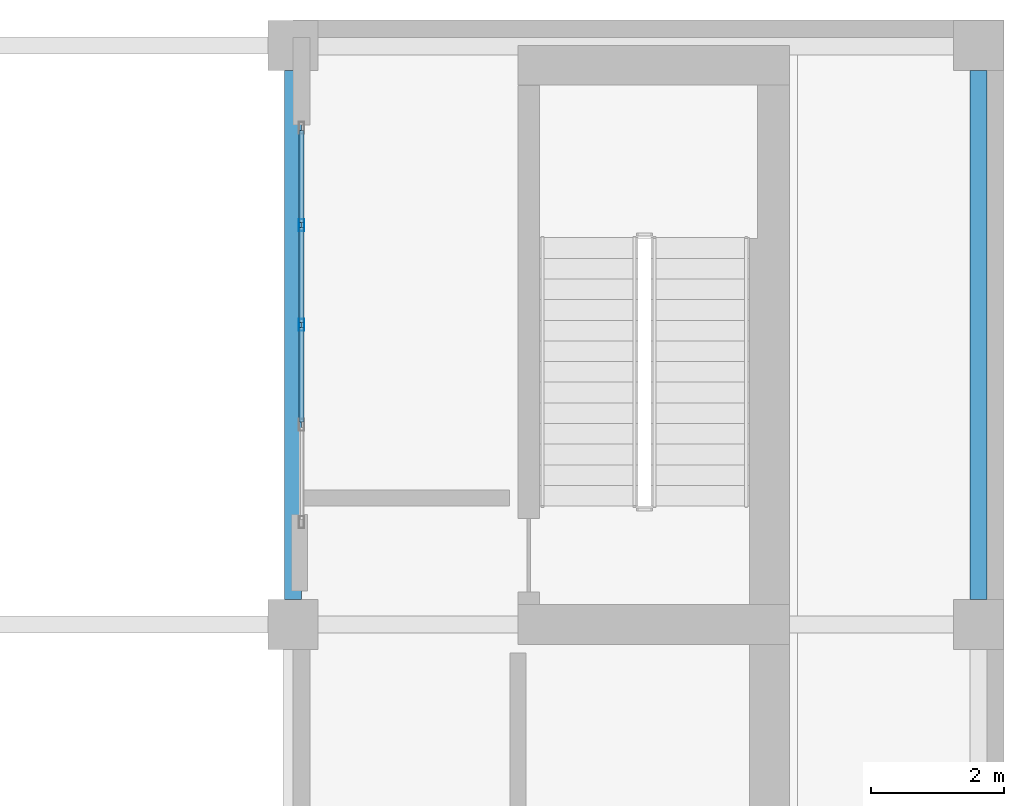
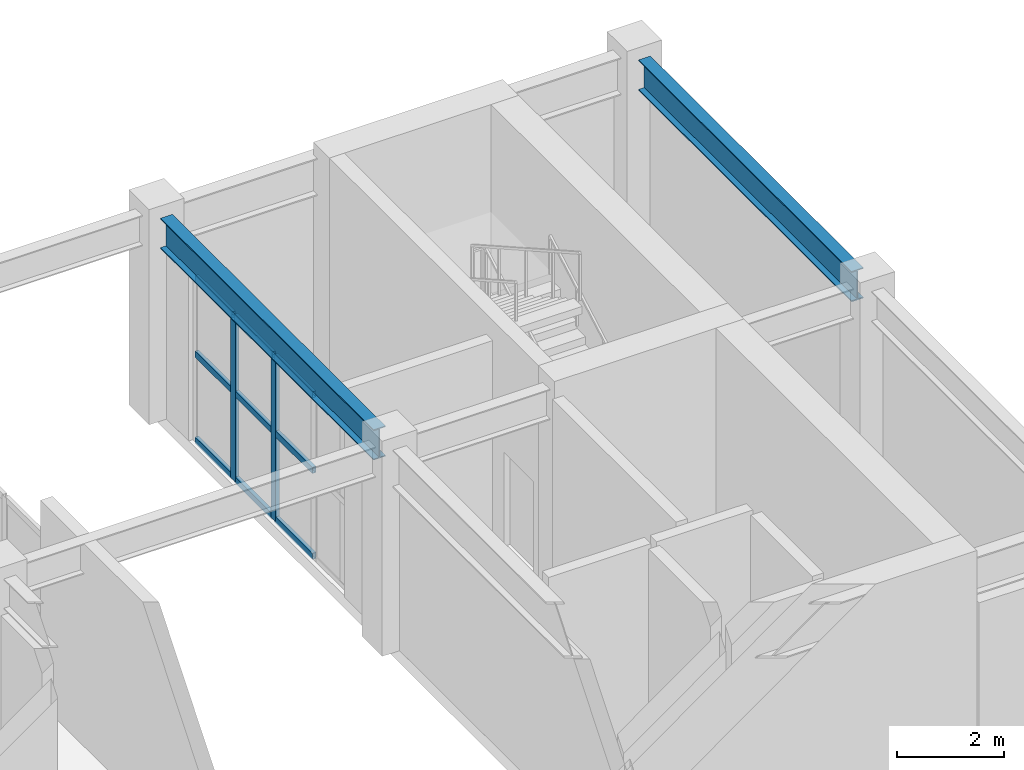
# One storey, part 6 of 11: 11 members, 2 beams, 1 element without a shape of its own.
"""IFC4 building model written with IfcOpenShell, lengths in metres."""

from ifc_helpers import new_model, si_unit, direction, frame, origin, origin_2d, place, context, subcontext, project, spatial, hollow_rectangle, i_section, extrude, material, layer, layer_set, material_profile, profile_set, type_object, element, aggregate, save


model = new_model("IFC4")

# Units and contexts
model_context = context("Model", 3, precision=1e-05, world=origin(), true_north=direction((0.0, 1.0)))
body_context = subcontext(model_context, "Body", "Model", "MODEL_VIEW")
ifc_project = project(units=[si_unit("LENGTHUNIT", "METRE"), si_unit("AREAUNIT", "SQUARE_METRE"), si_unit("VOLUMEUNIT", "CUBIC_METRE"), si_unit("PLANEANGLEUNIT", "RADIAN"), si_unit("MASSUNIT", "GRAM", prefix="KILO")], contexts=[model_context])

# Site, building, storey
site_placement = place(None, origin())
site = spatial("IfcSite", under=ifc_project, at=site_placement, CompositionType="ELEMENT")
building_placement = place(site_placement, origin())
building = spatial("IfcBuilding", under=site, at=building_placement, Name="Solanera Arch Residences", CompositionType="ELEMENT")
storey_placement = place(building_placement, frame((0.0, 0.0, 287.8798828125)))
storey = spatial("IfcBuildingStorey", under=building, at=storey_placement, Name="L82", CompositionType="ELEMENT", Elevation=287.8798828125)

# Curtain wall, members
ifc_material_1 = material(Name="Anodised Aluminium Alloy 6063-T6", Category="aluminium")
ifc_layer = layer(ifc_material_1, 0.179931640625)
ifc_layer_set = layer_set([ifc_layer], Name="Anodised Aluminium Alloy 6063-T6")
curtain_wall_type = type_object("IfcCurtainWallType", Name="CW-6 Split-Top Crown Lantern Curtain Wall", PredefinedType="USERDEFINED", material=ifc_layer_set)
curtain_wall_placement = place(storey_placement, origin())
curtain_wall = element("IfcCurtainWall", 1, at=curtain_wall_placement, inside=storey, type_object=curtain_wall_type, Name="L82 E Crown Cleft Lantern Curtain Wall", ObjectType="CURTAIN_WALL", PredefinedType="USERDEFINED")
ifc_material_2 = material(Name="Anodised Aluminium Alloy 6063-T6", Category="aluminium")
ifc_material_profile_1 = material_profile(ifc_material_2, hollow_rectangle(XDim=0.080078125, YDim=0.179931640625, WallThickness=0.00390625, at=origin_2d()))
ifc_profile_set_1 = profile_set([ifc_material_profile_1], Name="Anodised Aluminium Alloy 6063-T6")
member_type_1 = type_object("IfcMemberType", Name="Curtain Wall Mullion ALU-MUL-80X180", PredefinedType="MULLION", material=ifc_profile_set_1)
member_1_placement = place(storey_placement, frame((29.330078125, 35.199951171875, 0.0), z_axis=(0.0, 0.0, 1.0), x_axis=(-1.0, 0.0, 0.0)))
member_1 = element("IfcMember", 2, at=member_1_placement, type_object=member_type_1, Name="CW-6 mullion 3", PredefinedType="MULLION", context=body_context, shape_type="SweptSolid", body=[
    extrude(hollow_rectangle(XDim=0.080078125, YDim=0.179931640625, WallThickness=0.00390625, at=origin_2d()), origin(), (0.0, 0.0, 1.0), 3.760009765625),
])
member_2_placement = place(storey_placement, frame((29.330078125, 36.699951171875, 0.0), z_axis=(0.0, 0.0, 1.0), x_axis=(-1.0, 0.0, 0.0)))
member_2 = element("IfcMember", 3, at=member_2_placement, type_object=member_type_1, Name="CW-6 mullion 4", PredefinedType="MULLION", context=body_context, shape_type="SweptSolid", body=[
    extrude(hollow_rectangle(XDim=0.080078125, YDim=0.179931640625, WallThickness=0.00390625, at=origin_2d()), origin(), (0.0, 0.0, 1.0), 3.760009765625),
])
ifc_material_3 = material(Name="Anodised Aluminium Alloy 6063-T6", Category="aluminium")
ifc_material_profile_2 = material_profile(ifc_material_3, hollow_rectangle(XDim=0.080078125, YDim=0.139892578125, WallThickness=0.00390625, at=origin_2d()))
ifc_profile_set_2 = profile_set([ifc_material_profile_2], Name="Anodised Aluminium Alloy 6063-T6")
member_type_2 = type_object("IfcMemberType", Name="Curtain Wall Transom ALU-TRN-80X140", PredefinedType="USERDEFINED", material=ifc_profile_set_2)
member_3_placement = place(storey_placement, frame((29.330078125, 33.739990234375, 0.0400390625), z_axis=(0.0, 1.0, 0.0), x_axis=(-1.0, 0.0, 0.0)))
member_3 = element("IfcMember", 4, at=member_3_placement, type_object=member_type_2, Name="CW-6 transom 2.1", ObjectType="TRANSOM", PredefinedType="USERDEFINED", context=body_context, shape_type="SweptSolid", body=[
    extrude(hollow_rectangle(XDim=0.080078125, YDim=0.139892578125, WallThickness=0.00390625, at=origin_2d()), origin(), (0.0, 0.0, 1.0), 1.419921875),
])
member_4_placement = place(storey_placement, frame((29.330078125, 33.739990234375, 2.0), z_axis=(0.0, 1.0, 0.0), x_axis=(-1.0, 0.0, 0.0)))
member_4 = element("IfcMember", 5, at=member_4_placement, type_object=member_type_2, Name="CW-6 transom 2.2", ObjectType="TRANSOM", PredefinedType="USERDEFINED", context=body_context, shape_type="SweptSolid", body=[
    extrude(hollow_rectangle(XDim=0.080078125, YDim=0.139892578125, WallThickness=0.00390625, at=origin_2d()), origin(), (0.0, 0.0, 1.0), 1.419921875),
])
member_5_placement = place(storey_placement, frame((29.330078125, 33.739990234375, 3.72021484375), z_axis=(0.0, 1.0, 0.0), x_axis=(-1.0, 0.0, 0.0)))
member_5 = element("IfcMember", 6, at=member_5_placement, type_object=member_type_2, Name="CW-6 transom 2.3", ObjectType="TRANSOM", PredefinedType="USERDEFINED", context=body_context, shape_type="SweptSolid", body=[
    extrude(hollow_rectangle(XDim=0.080078125, YDim=0.139892578125, WallThickness=0.00390625, at=origin_2d()), origin(), (0.0, 0.0, 1.0), 1.419921875),
])
member_6_placement = place(storey_placement, frame((29.330078125, 35.239990234375, 0.0400390625), z_axis=(0.0, 1.0, 0.0), x_axis=(-1.0, 0.0, 0.0)))
member_6 = element("IfcMember", 7, at=member_6_placement, type_object=member_type_2, Name="CW-6 transom 3.1", ObjectType="TRANSOM", PredefinedType="USERDEFINED", context=body_context, shape_type="SweptSolid", body=[
    extrude(hollow_rectangle(XDim=0.080078125, YDim=0.139892578125, WallThickness=0.00390625, at=origin_2d()), origin(), (0.0, 0.0, 1.0), 1.419921875),
])
member_7_placement = place(storey_placement, frame((29.330078125, 35.239990234375, 2.0), z_axis=(0.0, 1.0, 0.0), x_axis=(-1.0, 0.0, 0.0)))
member_7 = element("IfcMember", 8, at=member_7_placement, type_object=member_type_2, Name="CW-6 transom 3.2", ObjectType="TRANSOM", PredefinedType="USERDEFINED", context=body_context, shape_type="SweptSolid", body=[
    extrude(hollow_rectangle(XDim=0.080078125, YDim=0.139892578125, WallThickness=0.00390625, at=origin_2d()), origin(), (0.0, 0.0, 1.0), 1.419921875),
])
member_8_placement = place(storey_placement, frame((29.330078125, 35.239990234375, 3.72021484375), z_axis=(0.0, 1.0, 0.0), x_axis=(-1.0, 0.0, 0.0)))
member_8 = element("IfcMember", 9, at=member_8_placement, type_object=member_type_2, Name="CW-6 transom 3.3", ObjectType="TRANSOM", PredefinedType="USERDEFINED", context=body_context, shape_type="SweptSolid", body=[
    extrude(hollow_rectangle(XDim=0.080078125, YDim=0.139892578125, WallThickness=0.00390625, at=origin_2d()), origin(), (0.0, 0.0, 1.0), 1.419921875),
])
member_9_placement = place(storey_placement, frame((29.330078125, 36.739990234375, 0.0400390625), z_axis=(0.0, 1.0, 0.0), x_axis=(-1.0, 0.0, 0.0)))
member_9 = element("IfcMember", 10, at=member_9_placement, type_object=member_type_2, Name="CW-6 transom 4.1", ObjectType="TRANSOM", PredefinedType="USERDEFINED", context=body_context, shape_type="SweptSolid", body=[
    extrude(hollow_rectangle(XDim=0.080078125, YDim=0.139892578125, WallThickness=0.00390625, at=origin_2d()), origin(), (0.0, 0.0, 1.0), 1.380126953125),
])
member_10_placement = place(storey_placement, frame((29.330078125, 36.739990234375, 2.0), z_axis=(0.0, 1.0, 0.0), x_axis=(-1.0, 0.0, 0.0)))
member_10 = element("IfcMember", 11, at=member_10_placement, type_object=member_type_2, Name="CW-6 transom 4.2", ObjectType="TRANSOM", PredefinedType="USERDEFINED", context=body_context, shape_type="SweptSolid", body=[
    extrude(hollow_rectangle(XDim=0.080078125, YDim=0.139892578125, WallThickness=0.00390625, at=origin_2d()), origin(), (0.0, 0.0, 1.0), 1.380126953125),
])
member_11_placement = place(storey_placement, frame((29.330078125, 36.739990234375, 3.72021484375), z_axis=(0.0, 1.0, 0.0), x_axis=(-1.0, 0.0, 0.0)))
member_11 = element("IfcMember", 12, at=member_11_placement, type_object=member_type_2, Name="CW-6 transom 4.3", ObjectType="TRANSOM", PredefinedType="USERDEFINED", context=body_context, shape_type="SweptSolid", body=[
    extrude(hollow_rectangle(XDim=0.080078125, YDim=0.139892578125, WallThickness=0.00390625, at=origin_2d()), origin(), (0.0, 0.0, 1.0), 1.380126953125),
])
aggregate(curtain_wall, [member_1, member_2, member_3, member_4, member_5, member_6, member_7, member_8, member_9, member_10, member_11])

# Beams
ifc_material_4 = material(Name="Steel S355 (ASTM A992 / A572 Grade 50)", Category="steel")
ifc_material_profile_3 = material_profile(ifc_material_4, i_section(OverallWidth=0.256103515625, OverallDepth=0.693115234375, WebThickness=0.014404296875, FlangeThickness=0.023681640625, at=origin_2d()))
ifc_profile_set_3 = profile_set([ifc_material_profile_3], Name="Steel S355 (ASTM A992 / A572 Grade 50)")
beam_type = type_object("IfcBeamType", Name="Primary Beam W690X170", PredefinedType="BEAM", material=ifc_profile_set_3)
for number, where, z_axis, x_axis, name in (
    (13, (29.199951171875, 31.074951171875, 4.274169921875), (0.0, 1.0, 0.0), (-1.0, 0.0, 0.0), "BM-L82-CR-E2"),
    (14, (39.5, 31.074951171875, 4.274169921875), (0.0, 1.0, 0.0), (-1.0, 0.0, 0.0), "BM-L82-CR-E4"),
):
    element("IfcBeam", number, at=place(storey_placement, frame(where, z_axis=z_axis, x_axis=x_axis)), inside=storey, type_object=beam_type, Name=name, PredefinedType="BEAM", context=body_context, shape_type="SweptSolid", body=[
        extrude(i_section(OverallWidth=0.256103515625, OverallDepth=0.693115234375, WebThickness=0.014404296875, FlangeThickness=0.023681640625, at=origin_2d()), origin(), (0.0, 0.0, 1.0), 7.949951171875),
    ])

save(model, "model.ifc")
